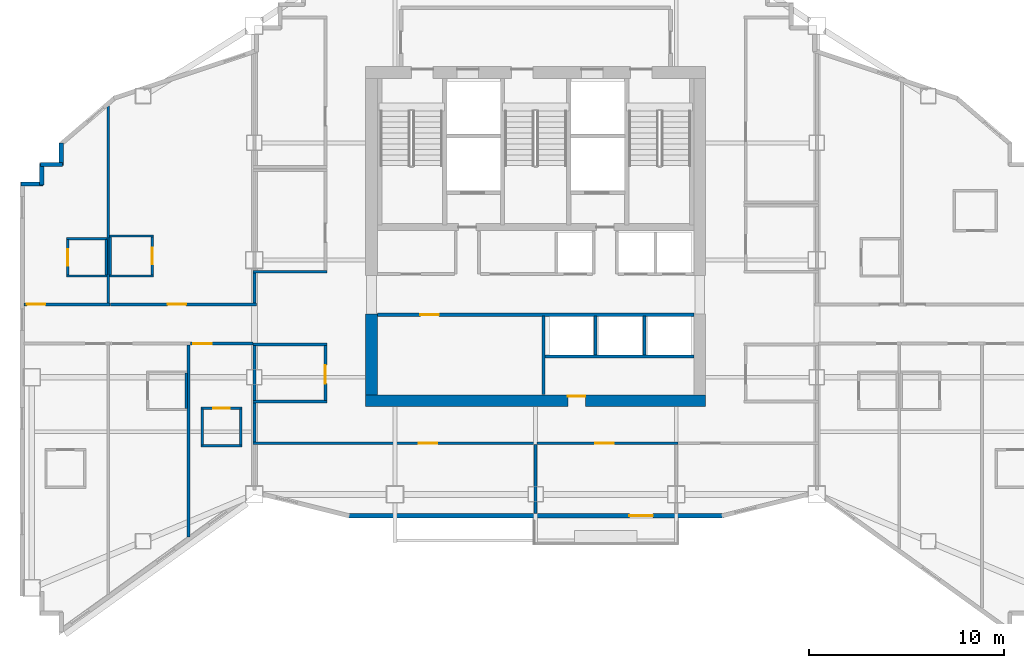
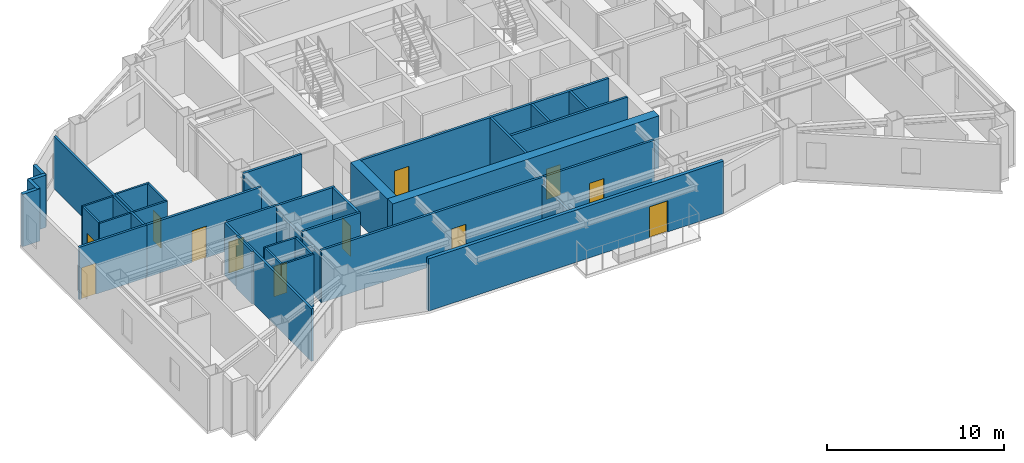
# One storey, part 5 of 11: 40 walls, 12 doors, 12 openings.
"""IFC4 building model written with IfcOpenShell, lengths in metres."""

import ifcopenshell
import ifcopenshell.guid

model = None  # the IFC model being written
_history = None  # IfcOwnerHistory: only IFC2X3 demands one
_inside = {}  # id of a spatial element -> (the spatial element, [elements in it])
_under = {}  # id of a project, library or spatial element -> (it, [spatial elements below it])
_declared = {}  # id of a project -> (the project, [libraries it declares])
_typed = {}  # id of a type object -> (the type object, [elements of that type])
_made_of = {}  # id of a material, layer set ... -> (it, [elements and type objects made of it])


def new_model(schema):
    """Start an empty IFC model of exactly this schema.

    Asked for "IFC4X3", IfcOpenShell would pick the latest addendum, in which some entities
    have other attributes; the version numbers below select the first issue.
    IFC2X3 requires an IfcOwnerHistory on every rooted entity: one is made here for all.
    """
    global model, _history
    if schema == "IFC4X3":
        model = ifcopenshell.file(schema_version=(4, 3, 0, 0))
    else:
        model = ifcopenshell.file(schema=schema)
    _inside.clear()
    _under.clear()
    _declared.clear()
    _typed.clear()
    _made_of.clear()
    _history = None
    if model.schema == "IFC2X3":
        org = make("IfcOrganization", Name="unknown")
        user = make(
            "IfcPersonAndOrganization",
            ThePerson=make("IfcPerson", FamilyName="unknown"),
            TheOrganization=org,
        )
        app = make(
            "IfcApplication",
            ApplicationDeveloper=org,
            Version="unknown",
            ApplicationFullName="unknown",
            ApplicationIdentifier="unknown",
        )
        _history = make(
            "IfcOwnerHistory",
            OwningUser=user,
            OwningApplication=app,
            ChangeAction="ADDED",
            CreationDate=0,
        )
    return model


def make(cls, **values):
    """One entity of the class cls with the attributes given. An attribute that is None is left unset."""
    return model.create_entity(
        cls, **{name: value for name, value in values.items() if value is not None}
    )


def rooted(cls, **values):
    """An entity with a GlobalId (a new one), such as an element, a storey or a relation."""
    return make(cls, GlobalId=ifcopenshell.guid.new(), OwnerHistory=_history, **values)


def si_unit(unit_type, name, prefix=None):
    """IfcSIUnit, for example si_unit("LENGTHUNIT", "METRE", prefix="MILLI")."""
    return make("IfcSIUnit", UnitType=unit_type, Prefix=prefix, Name=name)


def assignment(units):
    """IfcUnitAssignment: the units of a project."""
    return None if units is None else make("IfcUnitAssignment", Units=units)


def point(xyz):
    """IfcCartesianPoint."""
    return None if xyz is None else make("IfcCartesianPoint", Coordinates=xyz)


def direction(xyz):
    """IfcDirection."""
    return None if xyz is None else make("IfcDirection", DirectionRatios=xyz)


def frame(location, z_axis=None, x_axis=None):
    """IfcAxis2Placement3D, a coordinate frame: its origin and axes. An axis left out is left unset."""
    return make(
        "IfcAxis2Placement3D",
        Location=point(location),
        Axis=direction(z_axis),
        RefDirection=direction(x_axis),
    )


def frame_2d(location, x_axis=None):
    """IfcAxis2Placement2D, a coordinate frame in the plane: its origin and x axis."""
    return make(
        "IfcAxis2Placement2D", Location=point(location), RefDirection=direction(x_axis)
    )


def origin():
    """The frame at (0, 0, 0) with its axes left unset."""
    return frame((0.0, 0.0, 0.0))


def place(relative_to, where):
    """IfcLocalPlacement: puts the frame where relative to a parent placement (None: the world)."""
    return make(
        "IfcLocalPlacement", PlacementRelTo=relative_to, RelativePlacement=where
    )


def context(
    kind, dimensions, precision=None, world=None, true_north=None, identifier=None
):
    """IfcGeometricRepresentationContext, for example the 3D "Model" context."""
    return make(
        "IfcGeometricRepresentationContext",
        ContextIdentifier=identifier,
        ContextType=kind,
        CoordinateSpaceDimension=dimensions,
        Precision=precision,
        WorldCoordinateSystem=world,
        TrueNorth=true_north,
    )


def subcontext(parent, identifier, kind, view, scale=None):
    """IfcGeometricRepresentationSubContext, for example "Body" below "Model"."""
    return make(
        "IfcGeometricRepresentationSubContext",
        ContextIdentifier=identifier,
        ContextType=kind,
        ParentContext=parent,
        TargetScale=scale,
        TargetView=view,
    )


def project(units=None, contexts=None):
    """IfcProject with its units and contexts."""
    return rooted(
        "IfcProject",
        Name="project",
        RepresentationContexts=contexts,
        UnitsInContext=assignment(units),
    )


def spatial(cls, under=None, at=None, **own):
    """A site, building, storey or space (cls), placed at a placement, below another one or the project."""
    s = rooted(cls, ObjectPlacement=at, **own)
    if under is not None:
        _under.setdefault(under.id(), (under, []))[1].append(s)
    return s


def profile(cls, at=None, kind="AREA", **sizes):
    """A parametric profile (cls). Its sizes go by their IFC names, for example OverallWidth=200.0."""
    return make(cls, ProfileType=kind, Position=at, **sizes)


def rectangle(**sizes):
    """IfcRectangleProfileDef."""
    return profile("IfcRectangleProfileDef", **sizes)


def extrude(swept, where, along, depth):
    """IfcExtrudedAreaSolid: the profile swept, set in the frame where, extruded along a direction by depth."""
    return make(
        "IfcExtrudedAreaSolid",
        SweptArea=swept,
        Position=where,
        ExtrudedDirection=direction(along),
        Depth=depth,
    )


def shape(context_of_items, identifier, shape_type, items):
    """IfcShapeRepresentation: the items that make up one representation, for example the "Body"."""
    return make(
        "IfcShapeRepresentation",
        ContextOfItems=context_of_items,
        RepresentationIdentifier=identifier,
        RepresentationType=shape_type,
        Items=items,
    )


def material(Name=None, Category=None):
    """IfcMaterial."""
    return make("IfcMaterial", Name=Name, Category=Category)


def layer(
    of_material, thickness, ventilated=None, Name=None, Category=None, Priority=None
):
    """IfcMaterialLayer: one layer of a wall or slab, of a material (None: an air gap)."""
    return make(
        "IfcMaterialLayer",
        Material=of_material,
        LayerThickness=thickness,
        IsVentilated=ventilated,
        Name=Name,
        Category=Category,
        Priority=Priority,
    )


def layer_set(layers, Name=None):
    """IfcMaterialLayerSet."""
    return make("IfcMaterialLayerSet", MaterialLayers=layers, LayerSetName=Name)


def made_of(thing, what):
    """Note that an element or type object is made of a material, layer set ...; save() writes the relation."""
    if what is not None:
        _made_of.setdefault(what.id(), (what, []))[1].append(thing)
    return thing


def type_object(cls, material=None, **own):
    """A type object (cls), such as IfcWallType, which elements share."""
    return made_of(rooted(cls, **own), material)


def element(
    cls,
    number,
    at=None,
    inside=None,
    cuts=None,
    type_object=None,
    material=None,
    context=None,
    identifier="Body",
    shape_type=None,
    held_by="IfcProductDefinitionShape",
    body=None,
    shapes=None,
    **own,
):
    """One element of the class cls, such as IfcWall. Its Tag is "e" and its number.

    at: its placement. inside: the storey or other place that contains it. cuts: it is an
    opening in that element (IfcRelVoidsElement). A single representation is given by context,
    identifier, shape_type and body (its items); several are given by shapes. held_by: the class
    of the entity that holds the representations. save() writes the other relations.
    """
    e = rooted(cls, Tag="e%d" % number, ObjectPlacement=at, **own)
    if body is not None:
        shapes = [shape(context, identifier, shape_type, body)]
    if shapes is not None:
        e.Representation = make(held_by, Representations=shapes)
    if inside is not None:
        _inside.setdefault(inside.id(), (inside, []))[1].append(e)
    if cuts is not None:
        rooted(
            "IfcRelVoidsElement", RelatingBuildingElement=cuts, RelatedOpeningElement=e
        )
    if type_object is not None:
        _typed.setdefault(type_object.id(), (type_object, []))[1].append(e)
    return made_of(e, material)


def fill(opening, filler):
    """IfcRelFillsElement: the door or window that sits in an opening."""
    return rooted(
        "IfcRelFillsElement",
        RelatingOpeningElement=opening,
        RelatedBuildingElement=filler,
    )


def aggregate(whole, parts):
    """IfcRelAggregates: a whole, such as a stair, and the parts it consists of."""
    return rooted("IfcRelAggregates", RelatingObject=whole, RelatedObjects=parts)


def save(model, path):
    """Write the relations noted so far, then the file.

    IfcRelAggregates (storeys below a building ...), IfcRelContainedInSpatialStructure (elements
    in a storey), IfcRelDefinesByType, IfcRelAssociatesMaterial and IfcRelDeclares: one each for
    every whole, place, type object, material and project.
    """
    for whole, parts in _under.values():
        aggregate(whole, parts)
    for where, things in _inside.values():
        rooted(
            "IfcRelContainedInSpatialStructure",
            RelatedElements=things,
            RelatingStructure=where,
        )
    for kind, things in _typed.values():
        rooted("IfcRelDefinesByType", RelatedObjects=things, RelatingType=kind)
    for what, things in _made_of.values():
        rooted("IfcRelAssociatesMaterial", RelatedObjects=things, RelatingMaterial=what)
    for by, libraries in _declared.values():
        rooted("IfcRelDeclares", RelatingContext=by, RelatedDefinitions=libraries)
    model.write(path)


model = new_model("IFC4")

# Units and contexts
model_context = context("Model", 3, precision=1e-05, world=origin(), true_north=direction((0.0, 1.0)))
body_context = subcontext(model_context, "Body", "Model", "MODEL_VIEW")
ifc_project = project(units=[si_unit("LENGTHUNIT", "METRE"), si_unit("AREAUNIT", "SQUARE_METRE"), si_unit("VOLUMEUNIT", "CUBIC_METRE"), si_unit("PLANEANGLEUNIT", "RADIAN"), si_unit("MASSUNIT", "GRAM", prefix="KILO")], contexts=[model_context])

# Site, building, storey
site_placement = place(None, origin())
site = spatial("IfcSite", under=ifc_project, at=site_placement, CompositionType="ELEMENT")
building_placement = place(site_placement, origin())
building = spatial("IfcBuilding", under=site, at=building_placement, Name="Haolan Belvedere Tower", CompositionType="ELEMENT")
storey_placement = place(building_placement, frame((0.0, 0.0, 199.39990234375)))
storey = spatial("IfcBuildingStorey", under=building, at=storey_placement, Name="L50", CompositionType="ELEMENT", Elevation=199.39990234375)

# Wall, opening, door
ifc_material_1 = material(Name="Concrete C60/75", Category="concrete")
ifc_layer_1 = layer(ifc_material_1, 0.60009765625, Name="Concrete C60/75")
ifc_layer_set_1 = layer_set([ifc_layer_1], Name="Concrete C60/75")
wall_type_1 = type_object("IfcWallType", Name="WL-CORE-600", PredefinedType="SHEAR", material=ifc_layer_set_1)
wall_1_placement = place(storey_placement, frame((29.699951171875, 26.39990234375, 0.0), z_axis=(0.0, 0.0, 1.0), x_axis=(1.0, 0.0, 0.0)))
wall_1 = element("IfcWall", 1, at=wall_1_placement, inside=storey, type_object=wall_type_1, Name="L50 central core south shear wall", PredefinedType="SHEAR", context=body_context, shape_type="SweptSolid", body=[
    extrude(rectangle(XDim=17.400146484375, YDim=0.60009765625, at=frame_2d((8.7001953125, 0.0))), origin(), (0.0, 0.0, 1.0), 3.6201171875),
])
opening_1_placement = place(wall_1_placement, frame((11.25, 0.0, 0.0), z_axis=(0.0, 0.0, 1.0), x_axis=(-1.0, 0.0, 0.0)))
opening_1 = element("IfcOpeningElement", 2, at=opening_1_placement, cuts=wall_1, Name="Opening FD-05", PredefinedType="OPENING", context=body_context, shape_type="SweptSolid", body=[
    extrude(rectangle(XDim=0.89990234375, YDim=2.10009765625, at=frame_2d((0.449951171875, 1.050048828125))), frame((0.0, 0.31005859375, 0.0), z_axis=(0.0, -1.0, 0.0), x_axis=(1.0, 0.0, 0.0)), (0.0, 0.0, 1.0), 0.6201171875),
])
ifc_material_2 = material(Name="Galvanised fire-rated steel", Category="steel")
door_type_1 = type_object("IfcDoorType", Name="DR-FD60-900", OperationType="NOTDEFINED", PredefinedType="DOOR", material=ifc_material_2)
door_1_placement = place(opening_1_placement, origin())
door_1 = element("IfcDoor", 3, at=door_1_placement, inside=storey, type_object=door_type_1, Name="L50 door CD-L50-SCVE", OperationType="SINGLE_SWING_RIGHT", OverallHeight=2.10009765625, OverallWidth=0.89990234375, PredefinedType="DOOR", context=body_context, shape_type="SweptSolid", body=[
    extrude(rectangle(XDim=0.89990234375, YDim=2.10009765625, at=frame_2d((0.449951171875, 1.050048828125))), frame((0.0, -0.19482421875, 0.0), z_axis=(0.0, -1.0, 0.0), x_axis=(1.0, 0.0, 0.0)), (0.0, 0.0, 1.0), 0.050048828125),
])
fill(opening_1, door_1)

# Wall
wall_2_placement = place(storey_placement, frame((30.0, 26.699951171875, 0.0), z_axis=(0.0, 0.0, 1.0), x_axis=(0.0, 1.0, 0.0)))
element("IfcWall", 4, at=wall_2_placement, inside=storey, type_object=wall_type_1, Name="L50 central core shear wall WS", PredefinedType="SHEAR", context=body_context, shape_type="SweptSolid", body=[
    extrude(rectangle(XDim=4.150146484375, YDim=0.60009765625, at=frame_2d((2.0751953125, 0.0))), origin(), (0.0, 0.0, 1.0), 3.6201171875),
])

# Wall, opening, door
ifc_material_3 = material(Name="Precast concrete C40/50", Category="concrete")
ifc_layer_2 = layer(ifc_material_3, 0.219970703125, Name="Precast concrete C40/50")
ifc_layer_set_2 = layer_set([ifc_layer_2], Name="Precast concrete C40/50")
wall_type_2 = type_object("IfcWallType", Name="WL-EXT-220", PredefinedType="SOLIDWALL", material=ifc_layer_set_2)
wall_3_placement = place(storey_placement, frame((28.758544921875, 20.510009765625, 0.0), z_axis=(0.0, 0.0, 1.0), x_axis=(1.0, 0.0, 0.0)))
wall_3 = element("IfcWall", 5, at=wall_3_placement, inside=storey, type_object=wall_type_2, Name="L50 pale-metal exterior spandrel wall 1.1", PredefinedType="SOLIDWALL", context=body_context, shape_type="SweptSolid", body=[
    extrude(rectangle(XDim=19.282958984375, YDim=0.219970703125, at=frame_2d((9.6416015625, 0.0))), origin(), (0.0, 0.0, 1.0), 3.6201171875),
])
opening_2_placement = place(wall_3_placement, frame((15.641357421875, 0.0, 0.0), z_axis=(0.0, 0.0, 1.0), x_axis=(-1.0, 0.0, 0.0)))
opening_2 = element("IfcOpeningElement", 6, at=opening_2_placement, cuts=wall_3, Name="Opening BD-01", PredefinedType="OPENING", context=body_context, shape_type="SweptSolid", body=[
    extrude(rectangle(XDim=1.199951171875, YDim=2.14990234375, at=frame_2d((0.60009765625, 1.074951171875))), frame((0.0, 0.119873046875, 0.0), z_axis=(0.0, -1.0, 0.0), x_axis=(1.0, 0.0, 0.0)), (0.0, 0.0, 1.0), 0.239990234375),
])
ifc_material_4 = material(Name="Thermally broken pale-metal aluminium and Low-E glass", Category="aluminium")
door_type_2 = type_object("IfcDoorType", Name="DR-BAL-1200", OperationType="NOTDEFINED", PredefinedType="DOOR", material=ifc_material_4)
door_2_placement = place(opening_2_placement, origin())
door_2 = element("IfcDoor", 7, at=door_2_placement, inside=storey, type_object=door_type_2, Name="L50 tree-balcony access door 1", OperationType="SINGLE_SWING_RIGHT", OverallHeight=2.14990234375, OverallWidth=1.199951171875, PredefinedType="DOOR", context=body_context, shape_type="SweptSolid", body=[
    extrude(rectangle(XDim=1.199951171875, YDim=2.14990234375, at=frame_2d((0.60009765625, 1.074951171875))), frame((0.0, 0.02490234375, 0.0), z_axis=(0.0, -1.0, 0.0), x_axis=(1.0, 0.0, 0.0)), (0.0, 0.0, 1.0), 0.050048828125),
])
fill(opening_2, door_2)

# Walls
wall_4_placement = place(storey_placement, frame((14.110107421875, 39.6044921875, 0.0), z_axis=(0.0, 0.0, 1.0), x_axis=(0.0, -1.0, 0.0)))
element("IfcWall", 8, at=wall_4_placement, inside=storey, type_object=wall_type_2, Name="L50 pale-metal exterior spandrel wall 31.1", PredefinedType="SOLIDWALL", context=body_context, shape_type="SweptSolid", body=[
    extrude(rectangle(XDim=1.16943359375, YDim=0.219970703125, at=frame_2d((0.584716796875, 0.0))), origin(), (0.0, 0.0, 1.0), 3.6201171875),
])
wall_5_placement = place(storey_placement, frame((14.1650390625, 38.489990234375, 0.0), z_axis=(0.0, 0.0, 1.0), x_axis=(-1.0, 0.0, 0.0)))
element("IfcWall", 9, at=wall_5_placement, inside=storey, type_object=wall_type_2, Name="L50 pale-metal exterior spandrel wall 32.1", PredefinedType="SOLIDWALL", context=body_context, shape_type="SweptSolid", body=[
    extrude(rectangle(XDim=1.110107421875, YDim=0.219970703125, at=frame_2d((0.55517578125, 0.0))), origin(), (0.0, 0.0, 1.0), 3.6201171875),
])
wall_6_placement = place(storey_placement, frame((13.110107421875, 38.544921875, 0.0), z_axis=(0.0, 0.0, 1.0), x_axis=(0.0, -1.0, 0.0)))
element("IfcWall", 10, at=wall_6_placement, inside=storey, type_object=wall_type_2, Name="L50 pale-metal exterior spandrel wall 33.1", PredefinedType="SOLIDWALL", context=body_context, shape_type="SweptSolid", body=[
    extrude(rectangle(XDim=1.10986328125, YDim=0.219970703125, at=frame_2d((0.554931640625, 0.0))), origin(), (0.0, 0.0, 1.0), 3.6201171875),
])
wall_7_placement = place(storey_placement, frame((13.1650390625, 37.489990234375, 0.0), z_axis=(0.0, 0.0, 1.0), x_axis=(-1.0, 0.0, 0.0)))
element("IfcWall", 11, at=wall_7_placement, inside=storey, type_object=wall_type_2, Name="L50 pale-metal exterior spandrel wall 34.1", PredefinedType="SOLIDWALL", context=body_context, shape_type="SweptSolid", body=[
    extrude(rectangle(XDim=1.110107421875, YDim=0.219970703125, at=frame_2d((0.55517578125, 0.0))), origin(), (0.0, 0.0, 1.0), 3.6201171875),
])
ifc_material_5 = material(Name="Double gypsum acoustic stud partition", Category="masonry")
ifc_layer_3 = layer(ifc_material_5, 0.14990234375, Name="Double gypsum acoustic stud partition")
ifc_layer_set_3 = layer_set([ifc_layer_3], Name="Double gypsum acoustic stud partition")
wall_type_3 = type_object("IfcWallType", Name="WL-PART-150", PredefinedType="PARTITIONING", material=ifc_layer_set_3)
wall_8_placement = place(storey_placement, frame((38.860107421875, 28.659912109375, 0.0), z_axis=(0.0, 0.0, 1.0), x_axis=(1.0, 0.0, 0.0)))
element("IfcWall", 12, at=wall_8_placement, inside=storey, type_object=wall_type_3, Name="L50 interior partition IW-L50-SSTRIP-E", PredefinedType="PARTITIONING", context=body_context, shape_type="SweptSolid", body=[
    extrude(rectangle(XDim=7.639892578125, YDim=0.14990234375, at=frame_2d((3.81982421875, 0.0))), origin(), (0.0, 0.0, 1.0), 3.6201171875),
])
for number, where, z_axis, x_axis, name in (
    (13, (23.919921875, 33.0, 0.0), (0.0, 0.0, 1.0), (1.0, 0.0, 0.0), "L50 interior partition IW-L50-HSK-S"),
    (14, (23.919921875, 29.280029296875, 0.0), (0.0, 0.0, 1.0), (1.0, 0.0, 0.0), "L50 interior partition IW-L50-PKTW-N"),
    (15, (23.919921875, 26.35009765625, 0.0), (0.0, 0.0, 1.0), (1.0, 0.0, 0.0), "L50 interior partition IW-L50-PKTW-S"),
):
    element("IfcWall", number, at=place(storey_placement, frame(where, z_axis=z_axis, x_axis=x_axis)), inside=storey, type_object=wall_type_3, Name=name, PredefinedType="PARTITIONING", context=body_context, shape_type="SweptSolid", body=[
        extrude(rectangle(XDim=3.800048828125, YDim=0.14990234375, at=frame_2d((1.89990234375, 0.0))), origin(), (0.0, 0.0, 1.0), 3.6201171875),
    ])
wall_9_placement = place(storey_placement, frame((24.0, 26.409912109375, 0.0), z_axis=(0.0, 0.0, 1.0), x_axis=(0.0, 1.0, 0.0)))
element("IfcWall", 16, at=wall_9_placement, inside=storey, type_object=wall_type_3, Name="L50 interior partition IW-L50-PKTW-W", PredefinedType="PARTITIONING", context=body_context, shape_type="SweptSolid", body=[
    extrude(rectangle(XDim=2.81005859375, YDim=0.14990234375, at=frame_2d((1.405029296875, 0.0))), origin(), (0.0, 0.0, 1.0), 3.215087890625),
])

# Wall, opening, door
wall_10_placement = place(storey_placement, frame((27.639892578125, 26.409912109375, 0.0), z_axis=(0.0, 0.0, 1.0), x_axis=(0.0, 1.0, 0.0)))
wall_10 = element("IfcWall", 17, at=wall_10_placement, inside=storey, type_object=wall_type_3, Name="L50 interior partition IW-L50-PKTW-E", PredefinedType="PARTITIONING", context=body_context, shape_type="SweptSolid", body=[
    extrude(rectangle(XDim=2.81005859375, YDim=0.14990234375, at=frame_2d((1.405029296875, 0.0))), origin(), (0.0, 0.0, 1.0), 3.6201171875),
])
opening_3_placement = place(wall_10_placement, frame((1.81005859375, 0.0, 0.0), z_axis=(0.0, 0.0, 1.0), x_axis=(-1.0, 0.0, 0.0)))
opening_3 = element("IfcOpeningElement", 18, at=opening_3_placement, cuts=wall_10, Name="Opening ID-03", PredefinedType="OPENING", context=body_context, shape_type="SweptSolid", body=[
    extrude(rectangle(XDim=0.949951171875, YDim=2.1201171875, at=frame_2d((0.47509765625, 1.06005859375))), frame((0.0, 0.0849609375, 0.0), z_axis=(0.0, -1.0, 0.0), x_axis=(1.0, 0.0, 0.0)), (0.0, 0.0, 1.0), 0.169921875),
])
ifc_material_6 = material(Name="Painted solid-core timber", Category="wood")
door_type_3 = type_object("IfcDoorType", Name="DR-INT-950", OperationType="NOTDEFINED", PredefinedType="DOOR", material=ifc_material_6)
door_3_placement = place(opening_3_placement, origin())
door_3 = element("IfcDoor", 19, at=door_3_placement, inside=storey, type_object=door_type_3, Name="L50 door ID-L50-PKTW", OperationType="SINGLE_SWING_LEFT", OverallHeight=2.1201171875, OverallWidth=0.949951171875, PredefinedType="DOOR", context=body_context, shape_type="SweptSolid", body=[
    extrude(rectangle(XDim=0.949951171875, YDim=2.1201171875, at=frame_2d((0.47509765625, 1.06005859375))), frame((0.0, 0.02490234375, 0.0), z_axis=(0.0, -1.0, 0.0), x_axis=(1.0, 0.0, 0.0)), (0.0, 0.0, 1.0), 0.050048828125),
])
fill(opening_3, door_3)

wall_11_placement = place(storey_placement, frame((23.919921875, 24.219970703125, 0.0), z_axis=(0.0, 0.0, 1.0), x_axis=(1.0, 0.0, 0.0)))
wall_11 = element("IfcWall", 20, at=wall_11_placement, inside=storey, type_object=wall_type_3, Name="L50 interior partition IW-L50-KS1-N", PredefinedType="PARTITIONING", context=body_context, shape_type="SweptSolid", body=[
    extrude(rectangle(XDim=14.56005859375, YDim=0.14990234375, at=frame_2d((7.280029296875, 0.0))), origin(), (0.0, 0.0, 1.0), 3.6201171875),
])
opening_4_placement = place(wall_11_placement, frame((9.445068359375, 0.0, 0.0), z_axis=(0.0, 0.0, 1.0), x_axis=(-1.0, 0.0, 0.0)))
opening_4 = element("IfcOpeningElement", 21, at=opening_4_placement, cuts=wall_11, Name="Opening ID-03", PredefinedType="OPENING", context=body_context, shape_type="SweptSolid", body=[
    extrude(rectangle(XDim=0.949951171875, YDim=2.1201171875, at=frame_2d((0.47509765625, 1.06005859375))), frame((0.0, 0.0849609375, 0.0), z_axis=(0.0, -1.0, 0.0), x_axis=(1.0, 0.0, 0.0)), (0.0, 0.0, 1.0), 0.169921875),
])
door_4_placement = place(opening_4_placement, origin())
door_4 = element("IfcDoor", 22, at=door_4_placement, inside=storey, type_object=door_type_3, Name="L50 door ID-L50-KS1", OperationType="SINGLE_SWING_RIGHT", OverallHeight=2.1201171875, OverallWidth=0.949951171875, PredefinedType="DOOR", context=body_context, shape_type="SweptSolid", body=[
    extrude(rectangle(XDim=0.949951171875, YDim=2.1201171875, at=frame_2d((0.47509765625, 1.06005859375))), frame((0.0, 0.02490234375, 0.0), z_axis=(0.0, -1.0, 0.0), x_axis=(1.0, 0.0, 0.0)), (0.0, 0.0, 1.0), 0.050048828125),
])
fill(opening_4, door_4)

# Wall
wall_12_placement = place(storey_placement, frame((38.39990234375, 20.612060546875, 0.0), z_axis=(0.0, 0.0, 1.0), x_axis=(0.0, 1.0, 0.0)))
element("IfcWall", 23, at=wall_12_placement, inside=storey, type_object=wall_type_3, Name="L50 interior partition IW-L50-KS1-E", PredefinedType="PARTITIONING", context=body_context, shape_type="SweptSolid", body=[
    extrude(rectangle(XDim=3.5478515625, YDim=0.14990234375, at=frame_2d((1.77392578125, 0.0))), origin(), (0.0, 0.0, 1.0), 3.10498046875),
])

# Wall, opening, door
wall_13_placement = place(storey_placement, frame((38.48193359375, 24.219970703125, 0.0), z_axis=(0.0, 0.0, 1.0), x_axis=(1.0, 0.0, 0.0)))
wall_13 = element("IfcWall", 24, at=wall_13_placement, inside=storey, type_object=wall_type_3, Name="L50 interior partition IW-L50-KS2-N", PredefinedType="PARTITIONING", context=body_context, shape_type="SweptSolid", body=[
    extrude(rectangle(XDim=7.197998046875, YDim=0.14990234375, at=frame_2d((3.59912109375, 0.0))), origin(), (0.0, 0.0, 1.0), 3.6201171875),
])
opening_5_placement = place(wall_13_placement, frame((3.912841796875, 0.0, 0.0), z_axis=(0.0, 0.0, 1.0), x_axis=(-1.0, 0.0, 0.0)))
opening_5 = element("IfcOpeningElement", 25, at=opening_5_placement, cuts=wall_13, Name="Opening ID-03", PredefinedType="OPENING", context=body_context, shape_type="SweptSolid", body=[
    extrude(rectangle(XDim=0.949951171875, YDim=2.1201171875, at=frame_2d((0.47509765625, 1.06005859375))), frame((0.0, 0.0849609375, 0.0), z_axis=(0.0, -1.0, 0.0), x_axis=(1.0, 0.0, 0.0)), (0.0, 0.0, 1.0), 0.169921875),
])
door_5_placement = place(opening_5_placement, origin())
door_5 = element("IfcDoor", 26, at=door_5_placement, inside=storey, type_object=door_type_3, Name="L50 door ID-L50-KS2", OperationType="SINGLE_SWING_LEFT", OverallHeight=2.1201171875, OverallWidth=0.949951171875, PredefinedType="DOOR", context=body_context, shape_type="SweptSolid", body=[
    extrude(rectangle(XDim=0.949951171875, YDim=2.1201171875, at=frame_2d((0.47509765625, 1.06005859375))), frame((0.0, 0.02490234375, 0.0), z_axis=(0.0, -1.0, 0.0), x_axis=(1.0, 0.0, 0.0)), (0.0, 0.0, 1.0), 0.050048828125),
])
fill(opening_5, door_5)

wall_14_placement = place(storey_placement, frame((12.2119140625, 31.330078125, 0.0), z_axis=(0.0, 0.0, 1.0), x_axis=(1.0, 0.0, 0.0)))
wall_14 = element("IfcWall", 27, at=wall_14_placement, inside=storey, type_object=wall_type_3, Name="L50 interior partition IW-L50-T2N1-S", PredefinedType="PARTITIONING", context=body_context, shape_type="SweptSolid", body=[
    extrude(rectangle(XDim=4.408203125, YDim=0.14990234375, at=frame_2d((2.2041015625, 0.0))), origin(), (0.0, 0.0, 1.0), 3.6201171875),
])
opening_6_placement = place(wall_14_placement, frame((0.139892578125, 0.0, 0.0)))
opening_6 = element("IfcOpeningElement", 28, at=opening_6_placement, cuts=wall_14, Name="Opening ID-02", PredefinedType="OPENING", context=body_context, shape_type="SweptSolid", body=[
    extrude(rectangle(XDim=0.949951171875, YDim=2.14990234375, at=frame_2d((0.47509765625, 1.074951171875))), frame((0.0, 0.0849609375, 0.0), z_axis=(0.0, -1.0, 0.0), x_axis=(1.0, 0.0, 0.0)), (0.0, 0.0, 1.0), 0.169921875),
])
ifc_material_7 = material(Name="Acoustic oak veneer fire-rated timber", Category="wood")
door_type_4 = type_object("IfcDoorType", Name="DR-GUEST-950", OperationType="NOTDEFINED", PredefinedType="DOOR", material=ifc_material_7)
door_6_placement = place(opening_6_placement, origin())
door_6 = element("IfcDoor", 29, at=door_6_placement, inside=storey, type_object=door_type_4, Name="L50 door ID-L50-T2N1-ENT", OperationType="SINGLE_SWING_RIGHT", OverallHeight=2.14990234375, OverallWidth=0.949951171875, PredefinedType="DOOR", context=body_context, shape_type="SweptSolid", body=[
    extrude(rectangle(XDim=0.949951171875, YDim=2.14990234375, at=frame_2d((0.47509765625, 1.074951171875))), frame((0.0, 0.02490234375, 0.0), z_axis=(0.0, -1.0, 0.0), x_axis=(1.0, 0.0, 0.0)), (0.0, 0.0, 1.0), 0.050048828125),
])
fill(opening_6, door_6)

# Wall
wall_15_placement = place(storey_placement, frame((16.52001953125, 31.389892578125, 0.0), z_axis=(0.0, 0.0, 1.0), x_axis=(0.0, 1.0, 0.0)))
element("IfcWall", 30, at=wall_15_placement, inside=storey, type_object=wall_type_3, Name="L50 interior partition IW-L50-T2N1-E", PredefinedType="PARTITIONING", context=body_context, shape_type="SweptSolid", body=[
    extrude(rectangle(XDim=10.0908203125, YDim=0.14990234375, at=frame_2d((5.04541015625, 0.0))), origin(), (0.0, 0.0, 1.0), 3.6201171875),
])

# Wall, opening, door
wall_16_placement = place(storey_placement, frame((16.6220703125, 31.330078125, 0.0), z_axis=(0.0, 0.0, 1.0), x_axis=(1.0, 0.0, 0.0)))
wall_16 = element("IfcWall", 31, at=wall_16_placement, inside=storey, type_object=wall_type_3, Name="L50 interior partition IW-L50-T2N2-S", PredefinedType="PARTITIONING", context=body_context, shape_type="SweptSolid", body=[
    extrude(rectangle(XDim=7.47802734375, YDim=0.14990234375, at=frame_2d((3.739013671875, 0.0))), origin(), (0.0, 0.0, 1.0), 3.6201171875),
])
opening_7_placement = place(wall_16_placement, frame((2.935546875, 0.0, 0.0)))
opening_7 = element("IfcOpeningElement", 32, at=opening_7_placement, cuts=wall_16, Name="Opening ID-01", PredefinedType="OPENING", context=body_context, shape_type="SweptSolid", body=[
    extrude(rectangle(XDim=0.949951171875, YDim=2.179931640625, at=frame_2d((0.47509765625, 1.08984375))), frame((0.0, 0.0849609375, 0.0), z_axis=(0.0, -1.0, 0.0), x_axis=(1.0, 0.0, 0.0)), (0.0, 0.0, 1.0), 0.169921875),
])
ifc_material_8 = material(Name="Acoustic walnut veneer fire-rated timber", Category="wood")
door_type_5 = type_object("IfcDoorType", Name="DR-SUITE-950", OperationType="NOTDEFINED", PredefinedType="DOOR", material=ifc_material_8)
door_7_placement = place(opening_7_placement, origin())
door_7 = element("IfcDoor", 33, at=door_7_placement, inside=storey, type_object=door_type_5, Name="L50 door ID-L50-T2N2-ENT", OperationType="SINGLE_SWING_LEFT", OverallHeight=2.179931640625, OverallWidth=0.949951171875, PredefinedType="DOOR", context=body_context, shape_type="SweptSolid", body=[
    extrude(rectangle(XDim=0.949951171875, YDim=2.179931640625, at=frame_2d((0.47509765625, 1.08984375))), frame((0.0, 0.02490234375, 0.0), z_axis=(0.0, -1.0, 0.0), x_axis=(1.0, 0.0, 0.0)), (0.0, 0.0, 1.0), 0.050048828125),
])
fill(opening_7, door_7)

# Walls
wall_17_placement = place(storey_placement, frame((24.0, 31.389892578125, 0.0), z_axis=(0.0, 0.0, 1.0), x_axis=(0.0, 1.0, 0.0)))
element("IfcWall", 34, at=wall_17_placement, inside=storey, type_object=wall_type_3, Name="L50 interior partition IW-L50-T2N2-E", PredefinedType="PARTITIONING", context=body_context, shape_type="SweptSolid", body=[
    extrude(rectangle(XDim=1.550048828125, YDim=0.14990234375, at=frame_2d((0.77490234375, 0.0))), origin(), (0.0, 0.0, 1.0), 3.215087890625),
])
wall_18_placement = place(storey_placement, frame((20.6201171875, 19.427490234375, 0.0), z_axis=(0.0, 0.0, 1.0), x_axis=(0.0, 1.0, 0.0)))
element("IfcWall", 35, at=wall_18_placement, inside=storey, type_object=wall_type_3, Name="L50 interior partition IW-L50-T2S2-E", PredefinedType="PARTITIONING", context=body_context, shape_type="SweptSolid", body=[
    extrude(rectangle(XDim=9.83251953125, YDim=0.14990234375, at=frame_2d((4.916259765625, 0.0))), origin(), (0.0, 0.0, 1.0), 3.6201171875),
])

# Wall, opening, door
wall_19_placement = place(storey_placement, frame((20.721923828125, 29.320068359375, 0.0), z_axis=(0.0, 0.0, 1.0), x_axis=(1.0, 0.0, 0.0)))
wall_19 = element("IfcWall", 36, at=wall_19_placement, inside=storey, type_object=wall_type_3, Name="L50 interior partition IW-L50-T2S3-N", PredefinedType="PARTITIONING", context=body_context, shape_type="SweptSolid", body=[
    extrude(rectangle(XDim=3.196044921875, YDim=0.14990234375, at=frame_2d((1.59814453125, 0.0))), origin(), (0.0, 0.0, 1.0), 3.6201171875),
])
opening_8_placement = place(wall_19_placement, frame((1.08984375, 0.0, 0.0), z_axis=(0.0, 0.0, 1.0), x_axis=(-1.0, 0.0, 0.0)))
opening_8 = element("IfcOpeningElement", 37, at=opening_8_placement, cuts=wall_19, Name="Opening ID-02", PredefinedType="OPENING", context=body_context, shape_type="SweptSolid", body=[
    extrude(rectangle(XDim=0.949951171875, YDim=2.14990234375, at=frame_2d((0.47509765625, 1.074951171875))), frame((0.0, 0.0849609375, 0.0), z_axis=(0.0, -1.0, 0.0), x_axis=(1.0, 0.0, 0.0)), (0.0, 0.0, 1.0), 0.169921875),
])
door_8_placement = place(opening_8_placement, origin())
door_8 = element("IfcDoor", 38, at=door_8_placement, inside=storey, type_object=door_type_4, Name="L50 door ID-L50-T2S3-ENT", OperationType="SINGLE_SWING_RIGHT", OverallHeight=2.14990234375, OverallWidth=0.949951171875, PredefinedType="DOOR", context=body_context, shape_type="SweptSolid", body=[
    extrude(rectangle(XDim=0.949951171875, YDim=2.14990234375, at=frame_2d((0.47509765625, 1.074951171875))), frame((0.0, 0.02490234375, 0.0), z_axis=(0.0, -1.0, 0.0), x_axis=(1.0, 0.0, 0.0)), (0.0, 0.0, 1.0), 0.050048828125),
])
fill(opening_8, door_8)

# Wall
wall_20_placement = place(storey_placement, frame((24.0, 24.280029296875, 0.0), z_axis=(0.0, 0.0, 1.0), x_axis=(0.0, 1.0, 0.0)))
element("IfcWall", 39, at=wall_20_placement, inside=storey, type_object=wall_type_3, Name="L50 interior partition IW-L50-T2S3-E", PredefinedType="PARTITIONING", context=body_context, shape_type="SweptSolid", body=[
    extrude(rectangle(XDim=2.010009765625, YDim=0.14990234375, at=frame_2d((1.0048828125, 0.0))), origin(), (0.0, 0.0, 1.0), 3.215087890625),
])

# Wall, opening, door
ifc_material_9 = material(Name="Gypsum fire shaftwall assembly", Category="masonry")
ifc_layer_4 = layer(ifc_material_9, 0.1650390625, Name="Gypsum fire shaftwall assembly")
ifc_layer_set_4 = layer_set([ifc_layer_4], Name="Gypsum fire shaftwall assembly")
wall_type_4 = type_object("IfcWallType", Name="WL-SHAFT-160", PredefinedType="SOLIDWALL", material=ifc_layer_set_4)
wall_21_placement = place(storey_placement, frame((30.300048828125, 30.800048828125, 0.0), z_axis=(0.0, 0.0, 1.0), x_axis=(1.0, 0.0, 0.0)))
wall_21 = element("IfcWall", 40, at=wall_21_placement, inside=storey, type_object=wall_type_4, Name="L50 interior partition IW-L50-ROW-PS", PredefinedType="SOLIDWALL", context=body_context, shape_type="SweptSolid", body=[
    extrude(rectangle(XDim=16.199951171875, YDim=0.159912109375, at=frame_2d((8.10009765625, 0.0))), origin(), (0.0, 0.0, 1.0), 3.6201171875),
])
opening_9_placement = place(wall_21_placement, frame((2.199951171875, 0.0, 0.0)))
opening_9 = element("IfcOpeningElement", 41, at=opening_9_placement, cuts=wall_21, Name="Opening ID-03", PredefinedType="OPENING", context=body_context, shape_type="SweptSolid", body=[
    extrude(rectangle(XDim=0.949951171875, YDim=2.1201171875, at=frame_2d((0.47509765625, 1.06005859375))), frame((0.0, 0.08984375, 0.0), z_axis=(0.0, -1.0, 0.0), x_axis=(1.0, 0.0, 0.0)), (0.0, 0.0, 1.0), 0.179931640625),
])
door_9_placement = place(opening_9_placement, origin())
door_9 = element("IfcDoor", 42, at=door_9_placement, inside=storey, type_object=door_type_3, Name="L50 door ID-L50-CD-RPMA", OperationType="SINGLE_SWING_LEFT", OverallHeight=2.1201171875, OverallWidth=0.949951171875, PredefinedType="DOOR", context=body_context, shape_type="SweptSolid", body=[
    extrude(rectangle(XDim=0.949951171875, YDim=2.1201171875, at=frame_2d((0.47509765625, 1.06005859375))), frame((0.0, 0.02490234375, 0.0), z_axis=(0.0, -1.0, 0.0), x_axis=(1.0, 0.0, 0.0)), (0.0, 0.0, 1.0), 0.050048828125),
])
fill(opening_9, door_9)

# Walls
wall_22_placement = place(storey_placement, frame((38.800048828125, 26.7099609375, 0.0), z_axis=(0.0, 0.0, 1.0), x_axis=(0.0, 1.0, 0.0)))
element("IfcWall", 43, at=wall_22_placement, inside=storey, type_object=wall_type_4, Name="L50 interior partition IW-L50-DIV-PM-OB", PredefinedType="SOLIDWALL", context=body_context, shape_type="SweptSolid", body=[
    extrude(rectangle(XDim=4.025146484375, YDim=0.14990234375, at=frame_2d((2.0126953125, 0.0))), origin(), (0.0, 0.0, 1.0), 3.6201171875),
])
for number, where, z_axis, x_axis, name in (
    (44, (41.469970703125, 28.75, 0.0), (0.0, 0.0, 1.0), (0.0, 1.0, 0.0), "L50 interior partition IW-L50-DIV-OB1"),
    (45, (43.97998046875, 28.75, 0.0), (0.0, 0.0, 1.0), (0.0, 1.0, 0.0), "L50 interior partition IW-L50-DIV-OB2"),
):
    element("IfcWall", number, at=place(storey_placement, frame(where, z_axis=z_axis, x_axis=x_axis)), inside=storey, type_object=wall_type_4, Name=name, PredefinedType="SOLIDWALL", context=body_context, shape_type="SweptSolid", body=[
        extrude(rectangle(XDim=1.985107421875, YDim=0.14990234375, at=frame_2d((0.99267578125, 0.0))), origin(), (0.0, 0.0, 1.0), 3.6201171875),
    ])
ifc_material_10 = material(Name="Moisture-resistant gypsum tile partition", Category="masonry")
ifc_layer_5 = layer(ifc_material_10, 0.1201171875, Name="Moisture-resistant gypsum tile partition")
ifc_layer_set_5 = layer_set([ifc_layer_5], Name="Moisture-resistant gypsum tile partition")
wall_type_5 = type_object("IfcWallType", Name="WL-WET-120", PredefinedType="PARTITIONING", material=ifc_layer_set_5)
for number, where, z_axis, x_axis, name in (
    (46, (14.3798828125, 34.699951171875, 0.0), (0.0, 0.0, 1.0), (1.0, 0.0, 0.0), "L50 interior partition IW-L50-T2N1-BN"),
    (47, (14.3798828125, 32.780029296875, 0.0), (0.0, 0.0, 1.0), (1.0, 0.0, 0.0), "L50 interior partition IW-L50-T2N1-BS"),
):
    element("IfcWall", number, at=place(storey_placement, frame(where, z_axis=z_axis, x_axis=x_axis)), inside=storey, type_object=wall_type_5, Name=name, PredefinedType="PARTITIONING", context=body_context, shape_type="SweptSolid", body=[
        extrude(rectangle(XDim=2.080078125, YDim=0.1201171875, at=frame_2d((1.0400390625, 0.0))), origin(), (0.0, 0.0, 1.0), 3.6201171875),
    ])

# Wall, opening, door
wall_23_placement = place(storey_placement, frame((14.43994140625, 32.824951171875, 0.0), z_axis=(0.0, 0.0, 1.0), x_axis=(0.0, 1.0, 0.0)))
wall_23 = element("IfcWall", 48, at=wall_23_placement, inside=storey, type_object=wall_type_5, Name="L50 interior partition IW-L50-T2N1-BW", PredefinedType="PARTITIONING", context=body_context, shape_type="SweptSolid", body=[
    extrude(rectangle(XDim=1.830078125, YDim=0.1201171875, at=frame_2d((0.9150390625, 0.0))), origin(), (0.0, 0.0, 1.0), 3.6201171875),
])
opening_10_placement = place(wall_23_placement, frame((1.340087890625, 0.0, 0.0), z_axis=(0.0, 0.0, 1.0), x_axis=(-1.0, 0.0, 0.0)))
opening_10 = element("IfcOpeningElement", 49, at=opening_10_placement, cuts=wall_23, Name="Opening ID-05", PredefinedType="OPENING", context=body_context, shape_type="SweptSolid", body=[
    extrude(rectangle(XDim=0.85009765625, YDim=2.10009765625, at=frame_2d((0.425048828125, 1.050048828125))), frame((0.0, 0.070068359375, 0.0), z_axis=(0.0, -1.0, 0.0), x_axis=(1.0, 0.0, 0.0)), (0.0, 0.0, 1.0), 0.14013671875),
])
ifc_material_11 = material(Name="Moisture-resistant lacquered timber", Category="wood")
door_type_6 = type_object("IfcDoorType", Name="DR-BATH-850", OperationType="NOTDEFINED", PredefinedType="DOOR", material=ifc_material_11)
door_10_placement = place(opening_10_placement, origin())
door_10 = element("IfcDoor", 50, at=door_10_placement, inside=storey, type_object=door_type_6, Name="L50 door ID-L50-T2N1-BATH", OperationType="SINGLE_SWING_LEFT", OverallHeight=2.10009765625, OverallWidth=0.85009765625, PredefinedType="DOOR", context=body_context, shape_type="SweptSolid", body=[
    extrude(rectangle(XDim=0.85009765625, YDim=2.10009765625, at=frame_2d((0.425048828125, 1.050048828125))), frame((0.0, 0.02490234375, 0.0), z_axis=(0.0, -1.0, 0.0), x_axis=(1.0, 0.0, 0.0)), (0.0, 0.0, 1.0), 0.050048828125),
])
fill(opening_10, door_10)

# Walls
wall_24_placement = place(storey_placement, frame((16.419921875, 32.824951171875, 0.0), z_axis=(0.0, 0.0, 1.0), x_axis=(0.0, 1.0, 0.0)))
element("IfcWall", 51, at=wall_24_placement, inside=storey, type_object=wall_type_5, Name="L50 interior partition IW-L50-T2N1-BE", PredefinedType="PARTITIONING", context=body_context, shape_type="SweptSolid", body=[
    extrude(rectangle(XDim=1.830078125, YDim=0.1201171875, at=frame_2d((0.9150390625, 0.0))), origin(), (0.0, 0.0, 1.0), 3.6201171875),
])
for number, where, z_axis, x_axis, name in (
    (52, (16.580078125, 34.830078125, 0.0), (0.0, 0.0, 1.0), (1.0, 0.0, 0.0), "L50 interior partition IW-L50-T2N2-BN"),
    (53, (16.580078125, 32.780029296875, 0.0), (0.0, 0.0, 1.0), (1.0, 0.0, 0.0), "L50 interior partition IW-L50-T2N2-BS"),
):
    element("IfcWall", number, at=place(storey_placement, frame(where, z_axis=z_axis, x_axis=x_axis)), inside=storey, type_object=wall_type_5, Name=name, PredefinedType="PARTITIONING", context=body_context, shape_type="SweptSolid", body=[
        extrude(rectangle(XDim=2.25, YDim=0.1201171875, at=frame_2d((1.125, 0.0))), origin(), (0.0, 0.0, 1.0), 3.6201171875),
    ])
wall_25_placement = place(storey_placement, frame((16.6201171875, 32.824951171875, 0.0), z_axis=(0.0, 0.0, 1.0), x_axis=(0.0, 1.0, 0.0)))
element("IfcWall", 54, at=wall_25_placement, inside=storey, type_object=wall_type_5, Name="L50 interior partition IW-L50-T2N2-BW", PredefinedType="PARTITIONING", context=body_context, shape_type="SweptSolid", body=[
    extrude(rectangle(XDim=1.9599609375, YDim=0.1201171875, at=frame_2d((0.97998046875, 0.0))), origin(), (0.0, 0.0, 1.0), 3.6201171875),
])

# Wall, opening, door
wall_26_placement = place(storey_placement, frame((18.77001953125, 32.824951171875, 0.0), z_axis=(0.0, 0.0, 1.0), x_axis=(0.0, 1.0, 0.0)))
wall_26 = element("IfcWall", 55, at=wall_26_placement, inside=storey, type_object=wall_type_5, Name="L50 interior partition IW-L50-T2N2-BE", PredefinedType="PARTITIONING", context=body_context, shape_type="SweptSolid", body=[
    extrude(rectangle(XDim=1.9599609375, YDim=0.1201171875, at=frame_2d((0.97998046875, 0.0))), origin(), (0.0, 0.0, 1.0), 3.6201171875),
])
opening_11_placement = place(wall_26_placement, frame((0.554931640625, 0.0, 0.0)))
opening_11 = element("IfcOpeningElement", 56, at=opening_11_placement, cuts=wall_26, Name="Opening ID-05", PredefinedType="OPENING", context=body_context, shape_type="SweptSolid", body=[
    extrude(rectangle(XDim=0.85009765625, YDim=2.10009765625, at=frame_2d((0.425048828125, 1.050048828125))), frame((0.0, 0.070068359375, 0.0), z_axis=(0.0, -1.0, 0.0), x_axis=(1.0, 0.0, 0.0)), (0.0, 0.0, 1.0), 0.14013671875),
])
door_11_placement = place(opening_11_placement, origin())
door_11 = element("IfcDoor", 57, at=door_11_placement, inside=storey, type_object=door_type_6, Name="L50 door ID-L50-T2N2-BATH", OperationType="SINGLE_SWING_RIGHT", OverallHeight=2.10009765625, OverallWidth=0.85009765625, PredefinedType="DOOR", context=body_context, shape_type="SweptSolid", body=[
    extrude(rectangle(XDim=0.85009765625, YDim=2.10009765625, at=frame_2d((0.425048828125, 1.050048828125))), frame((0.0, 0.02490234375, 0.0), z_axis=(0.0, -1.0, 0.0), x_axis=(1.0, 0.0, 0.0)), (0.0, 0.0, 1.0), 0.050048828125),
])
fill(opening_11, door_11)

# Wall
wall_27_placement = place(storey_placement, frame((20.52001953125, 25.9951171875, 0.0), z_axis=(0.0, 0.0, 1.0), x_axis=(0.0, 1.0, 0.0)))
element("IfcWall", 58, at=wall_27_placement, inside=storey, type_object=wall_type_5, Name="L50 interior partition IW-L50-T2S2-BE", PredefinedType="PARTITIONING", context=body_context, shape_type="SweptSolid", body=[
    extrude(rectangle(XDim=1.829833984375, YDim=0.1201171875, at=frame_2d((0.9150390625, 0.0))), origin(), (0.0, 0.0, 1.0), 3.6201171875),
])

# Wall, opening, door
wall_28_placement = place(storey_placement, frame((21.26806640625, 26.01708984375, 0.0), z_axis=(0.0, 0.0, 1.0), x_axis=(1.0, 0.0, 0.0)))
wall_28 = element("IfcWall", 59, at=wall_28_placement, inside=storey, type_object=wall_type_5, Name="L50 interior partition IW-L50-T2S3-BN", PredefinedType="PARTITIONING", context=body_context, shape_type="SweptSolid", body=[
    extrude(rectangle(XDim=2.099853515625, YDim=0.1201171875, at=frame_2d((1.0498046875, 0.0))), origin(), (0.0, 0.0, 1.0), 3.6201171875),
])
opening_12_placement = place(wall_28_placement, frame((1.47509765625, 0.0, 0.0), z_axis=(0.0, 0.0, 1.0), x_axis=(-1.0, 0.0, 0.0)))
opening_12 = element("IfcOpeningElement", 60, at=opening_12_placement, cuts=wall_28, Name="Opening ID-05", PredefinedType="OPENING", context=body_context, shape_type="SweptSolid", body=[
    extrude(rectangle(XDim=0.85009765625, YDim=2.10009765625, at=frame_2d((0.425048828125, 1.050048828125))), frame((0.0, 0.070068359375, 0.0), z_axis=(0.0, -1.0, 0.0), x_axis=(1.0, 0.0, 0.0)), (0.0, 0.0, 1.0), 0.14013671875),
])
door_12_placement = place(opening_12_placement, origin())
door_12 = element("IfcDoor", 61, at=door_12_placement, inside=storey, type_object=door_type_6, Name="L50 door ID-L50-T2S3-BATH", OperationType="SINGLE_SWING_LEFT", OverallHeight=2.10009765625, OverallWidth=0.85009765625, PredefinedType="DOOR", context=body_context, shape_type="SweptSolid", body=[
    extrude(rectangle(XDim=0.85009765625, YDim=2.10009765625, at=frame_2d((0.425048828125, 1.050048828125))), frame((0.0, 0.02490234375, 0.0), z_axis=(0.0, -1.0, 0.0), x_axis=(1.0, 0.0, 0.0)), (0.0, 0.0, 1.0), 0.050048828125),
])
fill(opening_12, door_12)

# Walls
wall_29_placement = place(storey_placement, frame((21.26806640625, 24.096923828125, 0.0), z_axis=(0.0, 0.0, 1.0), x_axis=(1.0, 0.0, 0.0)))
element("IfcWall", 62, at=wall_29_placement, inside=storey, type_object=wall_type_5, Name="L50 interior partition IW-L50-T2S3-BS", PredefinedType="PARTITIONING", context=body_context, shape_type="SweptSolid", body=[
    extrude(rectangle(XDim=2.099853515625, YDim=0.1201171875, at=frame_2d((1.0498046875, 0.0))), origin(), (0.0, 0.0, 1.0), 3.6201171875),
])
for number, where, z_axis, x_axis, name in (
    (63, (21.327880859375, 24.14208984375, 0.0), (0.0, 0.0, 1.0), (0.0, 1.0, 0.0), "L50 interior partition IW-L50-T2S3-BW"),
    (64, (23.30810546875, 24.14208984375, 0.0), (0.0, 0.0, 1.0), (0.0, 1.0, 0.0), "L50 interior partition IW-L50-T2S3-BE"),
):
    element("IfcWall", number, at=place(storey_placement, frame(where, z_axis=z_axis, x_axis=x_axis)), inside=storey, type_object=wall_type_5, Name=name, PredefinedType="PARTITIONING", context=body_context, shape_type="SweptSolid", body=[
        extrude(rectangle(XDim=1.829833984375, YDim=0.1201171875, at=frame_2d((0.9150390625, 0.0))), origin(), (0.0, 0.0, 1.0), 3.6201171875),
    ])

save(model, "model.ifc")
